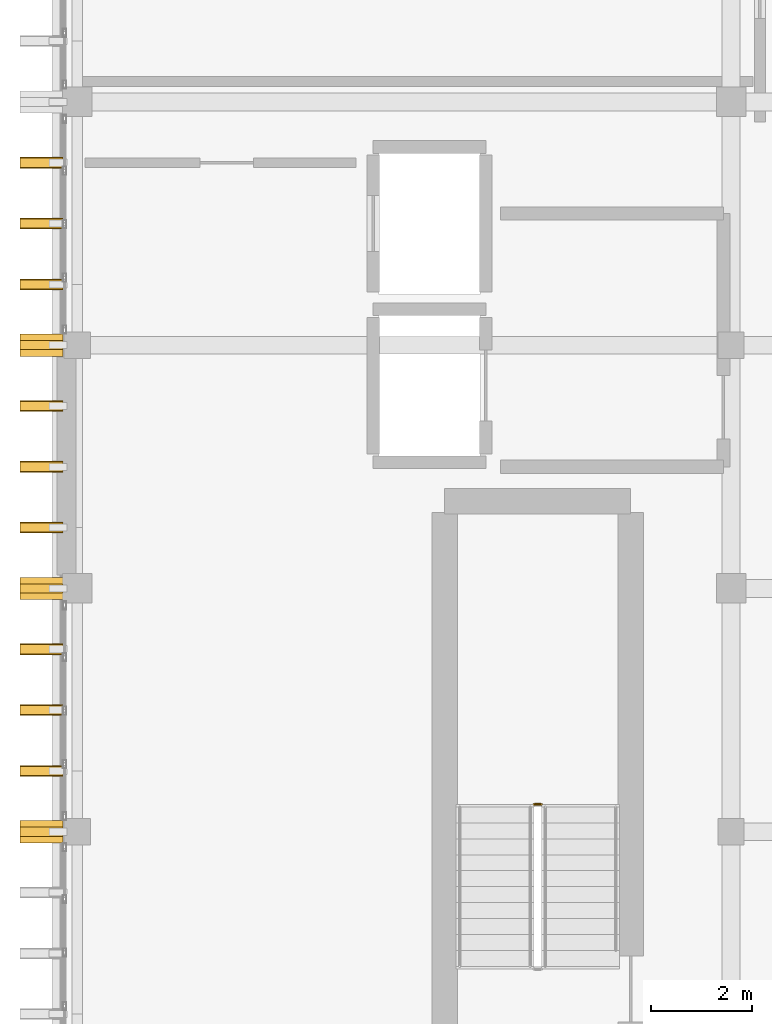
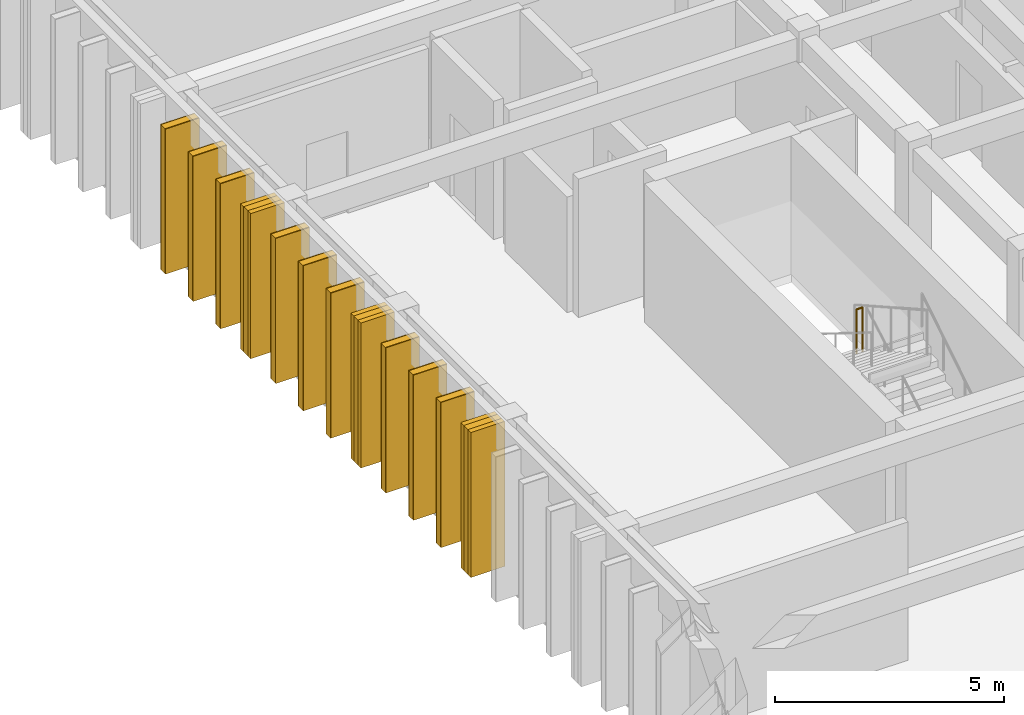
# One storey, part 46 of 49: 12 coverings, 12 shading devices, 1 railing.
"""IFC4 building model written with IfcOpenShell, lengths in metres."""

from ifc_helpers import new_model, si_unit, direction, frame, origin, origin_2d, place, context, subcontext, project, spatial, rectangle, circle, extrude, material, layer, layer_set, type_object, element, save


model = new_model("IFC4")

# Units and contexts
model_context = context("Model", 3, precision=1e-05, world=origin(), true_north=direction((0.0, 1.0)))
body_context = subcontext(model_context, "Body", "Model", "MODEL_VIEW")
ifc_project = project(units=[si_unit("LENGTHUNIT", "METRE"), si_unit("AREAUNIT", "SQUARE_METRE"), si_unit("VOLUMEUNIT", "CUBIC_METRE"), si_unit("PLANEANGLEUNIT", "RADIAN"), si_unit("MASSUNIT", "GRAM", prefix="KILO")], contexts=[model_context])

# Site, building, storey
site_placement = place(None, origin())
site = spatial("IfcSite", under=ifc_project, at=site_placement, CompositionType="ELEMENT")
building_placement = place(site_placement, origin())
building = spatial("IfcBuilding", under=site, at=building_placement, Name="Nakhvara Creek Congress Hotel", CompositionType="ELEMENT")
storey_placement = place(building_placement, frame((0.0, 0.0, 46.5)))
storey = spatial("IfcBuildingStorey", under=building, at=storey_placement, Name="L11", CompositionType="ELEMENT", Elevation=46.5)

# Coverings
ifc_material_1 = material(Name="Honed pale Omani limestone architectural cladding", Category="masonry")
ifc_layer = layer(ifc_material_1, 0.219970703125)
ifc_layer_set = layer_set([ifc_layer], Name="Honed pale Omani limestone architectural cladding")
covering_type = type_object("IfcCoveringType", Name="COV-FIN-850", PredefinedType="CLADDING", material=ifc_layer_set)
covering_1_placement = place(storey_placement, frame((148.7451171875, 81.60009765625, 0.0), z_axis=(0.0, 0.0, 1.0), x_axis=(0.0, 1.0, 0.0)))
element("IfcCovering", 1, at=covering_1_placement, inside=storey, type_object=covering_type, Name="Pale Limestone Fin Cladding CF01-2463", PredefinedType="CLADDING", context=body_context, shape_type="SweptSolid", body=[
    extrude(rectangle(XDim=0.43994140625, YDim=0.85009765625, at=origin_2d()), origin(), (0.0, 0.0, 1.0), 3.860107421875),
])
for number, where, z_axis, x_axis, name in (
    (2, (148.7451171875, 82.800048828125, 0.0), (0.0, 0.0, 1.0), (0.0, 1.0, 0.0), "Pale Limestone Fin Cladding CF01-2465"),
    (3, (148.7451171875, 84.0, 0.0), (0.0, 0.0, 1.0), (0.0, 1.0, 0.0), "Pale Limestone Fin Cladding CF01-2467"),
    (4, (148.7451171875, 85.199951171875, 0.0), (0.0, 0.0, 1.0), (0.0, 1.0, 0.0), "Pale Limestone Fin Cladding CF01-2469"),
):
    element("IfcCovering", number, at=place(storey_placement, frame(where, z_axis=z_axis, x_axis=x_axis)), inside=storey, type_object=covering_type, Name=name, PredefinedType="CLADDING", context=body_context, shape_type="SweptSolid", body=[
        extrude(rectangle(XDim=0.219970703125, YDim=0.85009765625, at=origin_2d()), origin(), (0.0, 0.0, 1.0), 3.860107421875),
    ])
covering_2_placement = place(storey_placement, frame((148.7451171875, 86.39990234375, 0.0), z_axis=(0.0, 0.0, 1.0), x_axis=(0.0, 1.0, 0.0)))
element("IfcCovering", 5, at=covering_2_placement, inside=storey, type_object=covering_type, Name="Pale Limestone Fin Cladding CF01-2471", PredefinedType="CLADDING", context=body_context, shape_type="SweptSolid", body=[
    extrude(rectangle(XDim=0.43994140625, YDim=0.85009765625, at=origin_2d()), origin(), (0.0, 0.0, 1.0), 3.860107421875),
])
for number, where, z_axis, x_axis, name in (
    (6, (148.7451171875, 87.60009765625, 0.0), (0.0, 0.0, 1.0), (0.0, 1.0, 0.0), "Pale Limestone Fin Cladding CF01-2473"),
    (7, (148.7451171875, 88.800048828125, 0.0), (0.0, 0.0, 1.0), (0.0, 1.0, 0.0), "Pale Limestone Fin Cladding CF01-2475"),
    (8, (148.7451171875, 90.0, 0.0), (0.0, 0.0, 1.0), (0.0, 1.0, 0.0), "Pale Limestone Fin Cladding CF01-2477"),
):
    element("IfcCovering", number, at=place(storey_placement, frame(where, z_axis=z_axis, x_axis=x_axis)), inside=storey, type_object=covering_type, Name=name, PredefinedType="CLADDING", context=body_context, shape_type="SweptSolid", body=[
        extrude(rectangle(XDim=0.219970703125, YDim=0.85009765625, at=origin_2d()), origin(), (0.0, 0.0, 1.0), 3.860107421875),
    ])
covering_3_placement = place(storey_placement, frame((148.7451171875, 91.199951171875, 0.0), z_axis=(0.0, 0.0, 1.0), x_axis=(0.0, 1.0, 0.0)))
element("IfcCovering", 9, at=covering_3_placement, inside=storey, type_object=covering_type, Name="Pale Limestone Fin Cladding CF01-2479", PredefinedType="CLADDING", context=body_context, shape_type="SweptSolid", body=[
    extrude(rectangle(XDim=0.43994140625, YDim=0.85009765625, at=origin_2d()), origin(), (0.0, 0.0, 1.0), 3.860107421875),
])
for number, where, z_axis, x_axis, name in (
    (10, (148.7451171875, 92.39990234375, 0.0), (0.0, 0.0, 1.0), (0.0, 1.0, 0.0), "Pale Limestone Fin Cladding CF01-2481"),
    (11, (148.7451171875, 93.60009765625, 0.0), (0.0, 0.0, 1.0), (0.0, 1.0, 0.0), "Pale Limestone Fin Cladding CF01-2482"),
    (12, (148.7451171875, 94.800048828125, 0.0), (0.0, 0.0, 1.0), (0.0, 1.0, 0.0), "Pale Limestone Fin Cladding CF01-2484"),
):
    element("IfcCovering", number, at=place(storey_placement, frame(where, z_axis=z_axis, x_axis=x_axis)), inside=storey, type_object=covering_type, Name=name, PredefinedType="CLADDING", context=body_context, shape_type="SweptSolid", body=[
        extrude(rectangle(XDim=0.219970703125, YDim=0.85009765625, at=origin_2d()), origin(), (0.0, 0.0, 1.0), 3.860107421875),
    ])

# Railing
ifc_material_2 = material(Name="Brushed stainless steel 316L", Category="steel")
railing_type = type_object("IfcRailingType", Name="RL-GUARD-1200", PredefinedType="GUARDRAIL", material=ifc_material_2)
railing_placement = place(storey_placement, frame((158.610107421875, 82.139892578125, 1.949951171875)))
element("IfcRailing", 13, at=railing_placement, inside=storey, type_object=railing_type, Name="L11 ST01 stair guard 2", PredefinedType="GUARDRAIL", context=body_context, shape_type="SweptSolid", body=[
    extrude(circle(Radius=0.02392578125, at=origin_2d()), frame((-0.0146484375, 0.0, 1.17578125), z_axis=(-1.0, 0.0, 0.0), x_axis=(0.0, -1.0, 0.0)), (0.0, 0.0, 1.0), 0.120849609375),
    extrude(circle(Radius=0.02099609375, at=origin_2d()), origin(), (0.0, 0.0, 1.0), 1.1806640625),
    extrude(circle(Radius=0.02099609375, at=origin_2d()), frame((-0.150146484375, 0.0, 0.0)), (0.0, 0.0, 1.0), 1.1806640625),
])

# Shading devices
ifc_material_3 = material(Name="Honed pale Omani limestone cladding on stainless steel spine", Category="masonry")
shading_device_type = type_object("IfcShadingDeviceType", Name="SHD-FIN-850X3600", PredefinedType="USERDEFINED", material=ifc_material_3)
for number, where, z_axis, x_axis, name in (
    (14, (148.7451171875, 81.60009765625, 0.0), (0.0, 0.0, 1.0), (0.0, 1.0, 0.0), "Limestone Solar Fin FN01-2328"),
    (15, (148.7451171875, 82.800048828125, 0.0), (0.0, 0.0, 1.0), (0.0, 1.0, 0.0), "Limestone Solar Fin FN01-2330"),
    (16, (148.7451171875, 84.0, 0.0), (0.0, 0.0, 1.0), (0.0, 1.0, 0.0), "Limestone Solar Fin FN01-2332"),
    (17, (148.7451171875, 85.199951171875, 0.0), (0.0, 0.0, 1.0), (0.0, 1.0, 0.0), "Limestone Solar Fin FN01-2334"),
    (18, (148.7451171875, 86.39990234375, 0.0), (0.0, 0.0, 1.0), (0.0, 1.0, 0.0), "Limestone Solar Fin FN01-2336"),
    (19, (148.7451171875, 87.60009765625, 0.0), (0.0, 0.0, 1.0), (0.0, 1.0, 0.0), "Limestone Solar Fin FN01-2338"),
    (20, (148.7451171875, 88.800048828125, 0.0), (0.0, 0.0, 1.0), (0.0, 1.0, 0.0), "Limestone Solar Fin FN01-2340"),
    (21, (148.7451171875, 90.0, 0.0), (0.0, 0.0, 1.0), (0.0, 1.0, 0.0), "Limestone Solar Fin FN01-2342"),
    (22, (148.7451171875, 91.199951171875, 0.0), (0.0, 0.0, 1.0), (0.0, 1.0, 0.0), "Limestone Solar Fin FN01-2344"),
    (23, (148.7451171875, 92.39990234375, 0.0), (0.0, 0.0, 1.0), (0.0, 1.0, 0.0), "Limestone Solar Fin FN01-2346"),
    (24, (148.7451171875, 93.60009765625, 0.0), (0.0, 0.0, 1.0), (0.0, 1.0, 0.0), "Limestone Solar Fin FN01-2347"),
    (25, (148.7451171875, 94.800048828125, 0.0), (0.0, 0.0, 1.0), (0.0, 1.0, 0.0), "Limestone Solar Fin FN01-2349"),
):
    element("IfcShadingDevice", number, at=place(storey_placement, frame(where, z_axis=z_axis, x_axis=x_axis)), inside=storey, type_object=shading_device_type, Name=name, ObjectType="FIN", PredefinedType="USERDEFINED", context=body_context, shape_type="SweptSolid", body=[
        extrude(rectangle(XDim=0.179931640625, YDim=0.85009765625, at=origin_2d()), origin(), (0.0, 0.0, 1.0), 3.860107421875),
    ])

save(model, "model.ifc")
